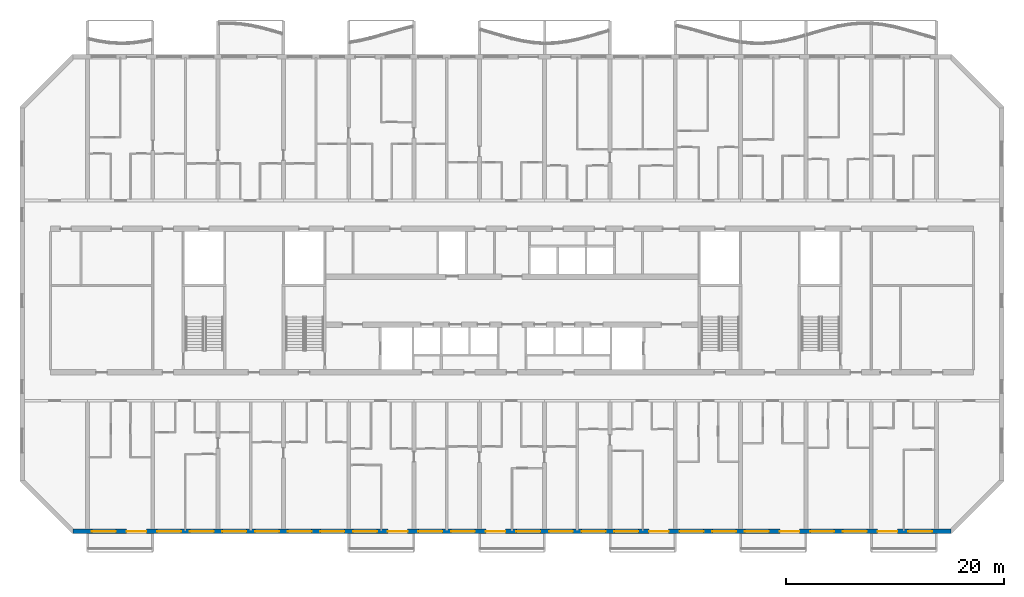
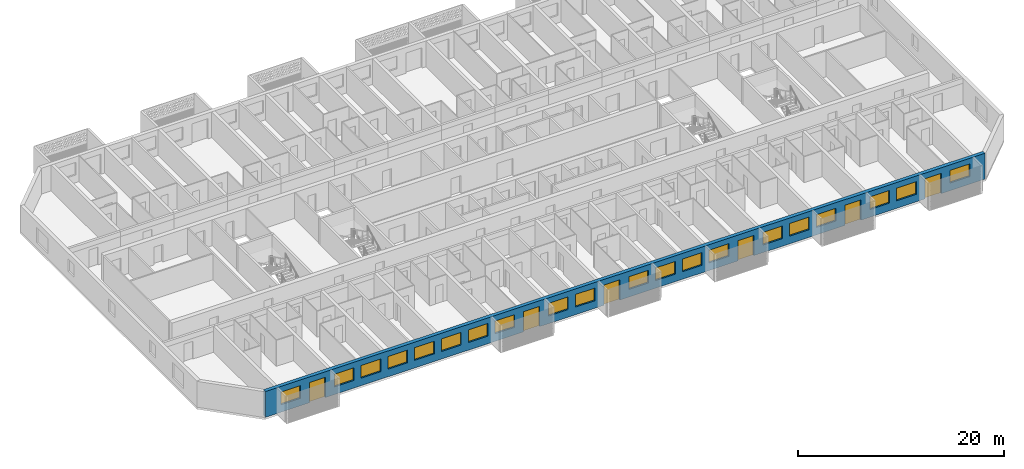
# One storey, part 4 of 26: 20 windows, 6 doors, 1 wall, 26 openings.
"""IFC4 building model written with IfcOpenShell, lengths in metres."""

from ifc_helpers import new_model, si_unit, direction, frame, frame_2d, origin, place, context, subcontext, project, spatial, rectangle, extrude, material, layer, layer_set, type_object, element, fill, save


model = new_model("IFC4")

# Units and contexts
model_context = context("Model", 3, precision=1e-05, world=origin(), true_north=direction((0.0, 1.0)))
body_context = subcontext(model_context, "Body", "Model", "MODEL_VIEW")
ifc_project = project(units=[si_unit("LENGTHUNIT", "METRE"), si_unit("AREAUNIT", "SQUARE_METRE"), si_unit("VOLUMEUNIT", "CUBIC_METRE"), si_unit("PLANEANGLEUNIT", "RADIAN"), si_unit("MASSUNIT", "GRAM", prefix="KILO")], contexts=[model_context])

# Site, building, storey
site_placement = place(None, origin())
site = spatial("IfcSite", under=ifc_project, at=site_placement, CompositionType="ELEMENT")
building_placement = place(site_placement, origin())
building = spatial("IfcBuilding", under=site, at=building_placement, Name="Poui Terraces", CompositionType="ELEMENT")
storey_placement = place(building_placement, frame((0.0, 0.0, 96.0)))
storey = spatial("IfcBuildingStorey", under=building, at=storey_placement, Name="L26", CompositionType="ELEMENT", Elevation=96.0)

# Wall, openings, doors, windows
ifc_material_1 = material(Name="Precast concrete 40 MPa", Category="concrete")
ifc_layer = layer(ifc_material_1, 0.39990234375)
ifc_layer_set = layer_set([ifc_layer], Name="Precast concrete 40 MPa")
wall_type = type_object("IfcWallType", Name="EXTERNAL WALL 400", PredefinedType="STANDARD", material=ifc_layer_set)
wall_placement = place(storey_placement, frame((10.682861328125, 0.0, 0.0), z_axis=(0.0, 0.0, 1.0), x_axis=(1.0, 0.0, 0.0)))
wall = element("IfcWall", 1, at=wall_placement, inside=storey, type_object=wall_type, Name="EXTERNAL WALL S", PredefinedType="STANDARD", context=body_context, shape_type="SweptSolid", body=[
    extrude(rectangle(XDim=80.63427734375, YDim=0.39990234375, at=frame_2d((40.317138671875, 0.0))), origin(), (0.0, 0.0, 1.0), 3.06005859375),
])
opening_1_placement = place(wall_placement, frame((1.71728515625, 0.0, 0.89990234375)))
opening_1 = element("IfcOpeningElement", 2, at=opening_1_placement, cuts=wall, Name="Opening W1", PredefinedType="OPENING", context=body_context, shape_type="SweptSolid", body=[
    extrude(rectangle(XDim=2.199951171875, YDim=1.5, at=frame_2d((1.10009765625, 0.75))), frame((0.0, 0.2099609375, 0.0), z_axis=(0.0, -1.0, 0.0), x_axis=(1.0, 0.0, 0.0)), (0.0, 0.0, 1.0), 0.419921875),
])
opening_2_placement = place(wall_placement, frame((4.917236328125, 0.0, 0.0)))
opening_2 = element("IfcOpeningElement", 3, at=opening_2_placement, cuts=wall, Name="Opening BD1", PredefinedType="OPENING", context=body_context, shape_type="SweptSolid", body=[
    extrude(rectangle(XDim=1.800048828125, YDim=2.39990234375, at=frame_2d((0.89990234375, 1.199951171875))), frame((0.0, 0.2099609375, 0.0), z_axis=(0.0, -1.0, 0.0), x_axis=(1.0, 0.0, 0.0)), (0.0, 0.0, 1.0), 0.419921875),
])
opening_3_placement = place(wall_placement, frame((7.71728515625, 0.0, 0.89990234375)))
opening_3 = element("IfcOpeningElement", 4, at=opening_3_placement, cuts=wall, Name="Opening W1", PredefinedType="OPENING", context=body_context, shape_type="SweptSolid", body=[
    extrude(rectangle(XDim=2.199951171875, YDim=1.5, at=frame_2d((1.10009765625, 0.75))), frame((0.0, 0.2099609375, 0.0), z_axis=(0.0, -1.0, 0.0), x_axis=(1.0, 0.0, 0.0)), (0.0, 0.0, 1.0), 0.419921875),
])
opening_4_placement = place(wall_placement, frame((10.71728515625, 0.0, 0.89990234375)))
opening_4 = element("IfcOpeningElement", 5, at=opening_4_placement, cuts=wall, Name="Opening W1", PredefinedType="OPENING", context=body_context, shape_type="SweptSolid", body=[
    extrude(rectangle(XDim=2.199951171875, YDim=1.5, at=frame_2d((1.10009765625, 0.75))), frame((0.0, 0.2099609375, 0.0), z_axis=(0.0, -1.0, 0.0), x_axis=(1.0, 0.0, 0.0)), (0.0, 0.0, 1.0), 0.419921875),
])
opening_5_placement = place(wall_placement, frame((13.71728515625, 0.0, 0.89990234375)))
opening_5 = element("IfcOpeningElement", 6, at=opening_5_placement, cuts=wall, Name="Opening W1", PredefinedType="OPENING", context=body_context, shape_type="SweptSolid", body=[
    extrude(rectangle(XDim=2.199951171875, YDim=1.5, at=frame_2d((1.10009765625, 0.75))), frame((0.0, 0.2099609375, 0.0), z_axis=(0.0, -1.0, 0.0), x_axis=(1.0, 0.0, 0.0)), (0.0, 0.0, 1.0), 0.419921875),
])
opening_6_placement = place(wall_placement, frame((16.71728515625, 0.0, 0.89990234375)))
opening_6 = element("IfcOpeningElement", 7, at=opening_6_placement, cuts=wall, Name="Opening W1", PredefinedType="OPENING", context=body_context, shape_type="SweptSolid", body=[
    extrude(rectangle(XDim=2.199951171875, YDim=1.5, at=frame_2d((1.10009765625, 0.75))), frame((0.0, 0.2099609375, 0.0), z_axis=(0.0, -1.0, 0.0), x_axis=(1.0, 0.0, 0.0)), (0.0, 0.0, 1.0), 0.419921875),
])
opening_7_placement = place(wall_placement, frame((19.71728515625, 0.0, 0.89990234375)))
opening_7 = element("IfcOpeningElement", 8, at=opening_7_placement, cuts=wall, Name="Opening W1", PredefinedType="OPENING", context=body_context, shape_type="SweptSolid", body=[
    extrude(rectangle(XDim=2.199951171875, YDim=1.5, at=frame_2d((1.10009765625, 0.75))), frame((0.0, 0.2099609375, 0.0), z_axis=(0.0, -1.0, 0.0), x_axis=(1.0, 0.0, 0.0)), (0.0, 0.0, 1.0), 0.419921875),
])
opening_8_placement = place(wall_placement, frame((22.71728515625, 0.0, 0.89990234375)))
opening_8 = element("IfcOpeningElement", 9, at=opening_8_placement, cuts=wall, Name="Opening W1", PredefinedType="OPENING", context=body_context, shape_type="SweptSolid", body=[
    extrude(rectangle(XDim=2.199951171875, YDim=1.5, at=frame_2d((1.10009765625, 0.75))), frame((0.0, 0.2099609375, 0.0), z_axis=(0.0, -1.0, 0.0), x_axis=(1.0, 0.0, 0.0)), (0.0, 0.0, 1.0), 0.419921875),
])
opening_9_placement = place(wall_placement, frame((25.71728515625, 0.0, 0.89990234375)))
opening_9 = element("IfcOpeningElement", 10, at=opening_9_placement, cuts=wall, Name="Opening W1", PredefinedType="OPENING", context=body_context, shape_type="SweptSolid", body=[
    extrude(rectangle(XDim=2.199951171875, YDim=1.5, at=frame_2d((1.10009765625, 0.75))), frame((0.0, 0.2099609375, 0.0), z_axis=(0.0, -1.0, 0.0), x_axis=(1.0, 0.0, 0.0)), (0.0, 0.0, 1.0), 0.419921875),
])
opening_10_placement = place(wall_placement, frame((28.917236328125, 0.0, 0.0)))
opening_10 = element("IfcOpeningElement", 11, at=opening_10_placement, cuts=wall, Name="Opening BD1", PredefinedType="OPENING", context=body_context, shape_type="SweptSolid", body=[
    extrude(rectangle(XDim=1.800048828125, YDim=2.39990234375, at=frame_2d((0.89990234375, 1.199951171875))), frame((0.0, 0.2099609375, 0.0), z_axis=(0.0, -1.0, 0.0), x_axis=(1.0, 0.0, 0.0)), (0.0, 0.0, 1.0), 0.419921875),
])
opening_11_placement = place(wall_placement, frame((31.71728515625, 0.0, 0.89990234375)))
opening_11 = element("IfcOpeningElement", 12, at=opening_11_placement, cuts=wall, Name="Opening W1", PredefinedType="OPENING", context=body_context, shape_type="SweptSolid", body=[
    extrude(rectangle(XDim=2.199951171875, YDim=1.5, at=frame_2d((1.10009765625, 0.75))), frame((0.0, 0.2099609375, 0.0), z_axis=(0.0, -1.0, 0.0), x_axis=(1.0, 0.0, 0.0)), (0.0, 0.0, 1.0), 0.419921875),
])
opening_12_placement = place(wall_placement, frame((34.71728515625, 0.0, 0.89990234375)))
opening_12 = element("IfcOpeningElement", 13, at=opening_12_placement, cuts=wall, Name="Opening W1", PredefinedType="OPENING", context=body_context, shape_type="SweptSolid", body=[
    extrude(rectangle(XDim=2.199951171875, YDim=1.5, at=frame_2d((1.10009765625, 0.75))), frame((0.0, 0.2099609375, 0.0), z_axis=(0.0, -1.0, 0.0), x_axis=(1.0, 0.0, 0.0)), (0.0, 0.0, 1.0), 0.419921875),
])
opening_13_placement = place(wall_placement, frame((37.917236328125, 0.0, 0.0)))
opening_13 = element("IfcOpeningElement", 14, at=opening_13_placement, cuts=wall, Name="Opening BD1", PredefinedType="OPENING", context=body_context, shape_type="SweptSolid", body=[
    extrude(rectangle(XDim=1.800048828125, YDim=2.39990234375, at=frame_2d((0.89990234375, 1.199951171875))), frame((0.0, 0.2099609375, 0.0), z_axis=(0.0, -1.0, 0.0), x_axis=(1.0, 0.0, 0.0)), (0.0, 0.0, 1.0), 0.419921875),
])
opening_14_placement = place(wall_placement, frame((40.71728515625, 0.0, 0.89990234375)))
opening_14 = element("IfcOpeningElement", 15, at=opening_14_placement, cuts=wall, Name="Opening W1", PredefinedType="OPENING", context=body_context, shape_type="SweptSolid", body=[
    extrude(rectangle(XDim=2.199951171875, YDim=1.5, at=frame_2d((1.10009765625, 0.75))), frame((0.0, 0.2099609375, 0.0), z_axis=(0.0, -1.0, 0.0), x_axis=(1.0, 0.0, 0.0)), (0.0, 0.0, 1.0), 0.419921875),
])
opening_15_placement = place(wall_placement, frame((43.71728515625, 0.0, 0.89990234375)))
opening_15 = element("IfcOpeningElement", 16, at=opening_15_placement, cuts=wall, Name="Opening W1", PredefinedType="OPENING", context=body_context, shape_type="SweptSolid", body=[
    extrude(rectangle(XDim=2.199951171875, YDim=1.5, at=frame_2d((1.10009765625, 0.75))), frame((0.0, 0.2099609375, 0.0), z_axis=(0.0, -1.0, 0.0), x_axis=(1.0, 0.0, 0.0)), (0.0, 0.0, 1.0), 0.419921875),
])
opening_16_placement = place(wall_placement, frame((46.71728515625, 0.0, 0.89990234375)))
opening_16 = element("IfcOpeningElement", 17, at=opening_16_placement, cuts=wall, Name="Opening W1", PredefinedType="OPENING", context=body_context, shape_type="SweptSolid", body=[
    extrude(rectangle(XDim=2.199951171875, YDim=1.5, at=frame_2d((1.10009765625, 0.75))), frame((0.0, 0.2099609375, 0.0), z_axis=(0.0, -1.0, 0.0), x_axis=(1.0, 0.0, 0.0)), (0.0, 0.0, 1.0), 0.419921875),
])
opening_17_placement = place(wall_placement, frame((49.71728515625, 0.0, 0.89990234375)))
opening_17 = element("IfcOpeningElement", 18, at=opening_17_placement, cuts=wall, Name="Opening W1", PredefinedType="OPENING", context=body_context, shape_type="SweptSolid", body=[
    extrude(rectangle(XDim=2.199951171875, YDim=1.5, at=frame_2d((1.10009765625, 0.75))), frame((0.0, 0.2099609375, 0.0), z_axis=(0.0, -1.0, 0.0), x_axis=(1.0, 0.0, 0.0)), (0.0, 0.0, 1.0), 0.419921875),
])
opening_18_placement = place(wall_placement, frame((52.917236328125, 0.0, 0.0)))
opening_18 = element("IfcOpeningElement", 19, at=opening_18_placement, cuts=wall, Name="Opening BD1", PredefinedType="OPENING", context=body_context, shape_type="SweptSolid", body=[
    extrude(rectangle(XDim=1.800048828125, YDim=2.39990234375, at=frame_2d((0.89990234375, 1.199951171875))), frame((0.0, 0.2099609375, 0.0), z_axis=(0.0, -1.0, 0.0), x_axis=(1.0, 0.0, 0.0)), (0.0, 0.0, 1.0), 0.419921875),
])
opening_19_placement = place(wall_placement, frame((55.71728515625, 0.0, 0.89990234375)))
opening_19 = element("IfcOpeningElement", 20, at=opening_19_placement, cuts=wall, Name="Opening W1", PredefinedType="OPENING", context=body_context, shape_type="SweptSolid", body=[
    extrude(rectangle(XDim=2.199951171875, YDim=1.5, at=frame_2d((1.10009765625, 0.75))), frame((0.0, 0.2099609375, 0.0), z_axis=(0.0, -1.0, 0.0), x_axis=(1.0, 0.0, 0.0)), (0.0, 0.0, 1.0), 0.419921875),
])
opening_20_placement = place(wall_placement, frame((58.71728515625, 0.0, 0.89990234375)))
opening_20 = element("IfcOpeningElement", 21, at=opening_20_placement, cuts=wall, Name="Opening W1", PredefinedType="OPENING", context=body_context, shape_type="SweptSolid", body=[
    extrude(rectangle(XDim=2.199951171875, YDim=1.5, at=frame_2d((1.10009765625, 0.75))), frame((0.0, 0.2099609375, 0.0), z_axis=(0.0, -1.0, 0.0), x_axis=(1.0, 0.0, 0.0)), (0.0, 0.0, 1.0), 0.419921875),
])
opening_21_placement = place(wall_placement, frame((61.71728515625, 0.0, 0.89990234375)))
opening_21 = element("IfcOpeningElement", 22, at=opening_21_placement, cuts=wall, Name="Opening W1", PredefinedType="OPENING", context=body_context, shape_type="SweptSolid", body=[
    extrude(rectangle(XDim=2.199951171875, YDim=1.5, at=frame_2d((1.10009765625, 0.75))), frame((0.0, 0.2099609375, 0.0), z_axis=(0.0, -1.0, 0.0), x_axis=(1.0, 0.0, 0.0)), (0.0, 0.0, 1.0), 0.419921875),
])
opening_22_placement = place(wall_placement, frame((64.917236328125, 0.0, 0.0)))
opening_22 = element("IfcOpeningElement", 23, at=opening_22_placement, cuts=wall, Name="Opening BD1", PredefinedType="OPENING", context=body_context, shape_type="SweptSolid", body=[
    extrude(rectangle(XDim=1.800048828125, YDim=2.39990234375, at=frame_2d((0.89990234375, 1.199951171875))), frame((0.0, 0.2099609375, 0.0), z_axis=(0.0, -1.0, 0.0), x_axis=(1.0, 0.0, 0.0)), (0.0, 0.0, 1.0), 0.419921875),
])
opening_23_placement = place(wall_placement, frame((67.71728515625, 0.0, 0.89990234375)))
opening_23 = element("IfcOpeningElement", 24, at=opening_23_placement, cuts=wall, Name="Opening W1", PredefinedType="OPENING", context=body_context, shape_type="SweptSolid", body=[
    extrude(rectangle(XDim=2.199951171875, YDim=1.5, at=frame_2d((1.10009765625, 0.75))), frame((0.0, 0.2099609375, 0.0), z_axis=(0.0, -1.0, 0.0), x_axis=(1.0, 0.0, 0.0)), (0.0, 0.0, 1.0), 0.419921875),
])
opening_24_placement = place(wall_placement, frame((70.71728515625, 0.0, 0.89990234375)))
opening_24 = element("IfcOpeningElement", 25, at=opening_24_placement, cuts=wall, Name="Opening W1", PredefinedType="OPENING", context=body_context, shape_type="SweptSolid", body=[
    extrude(rectangle(XDim=2.199951171875, YDim=1.5, at=frame_2d((1.10009765625, 0.75))), frame((0.0, 0.2099609375, 0.0), z_axis=(0.0, -1.0, 0.0), x_axis=(1.0, 0.0, 0.0)), (0.0, 0.0, 1.0), 0.419921875),
])
opening_25_placement = place(wall_placement, frame((73.917236328125, 0.0, 0.0)))
opening_25 = element("IfcOpeningElement", 26, at=opening_25_placement, cuts=wall, Name="Opening BD1", PredefinedType="OPENING", context=body_context, shape_type="SweptSolid", body=[
    extrude(rectangle(XDim=1.800048828125, YDim=2.39990234375, at=frame_2d((0.89990234375, 1.199951171875))), frame((0.0, 0.2099609375, 0.0), z_axis=(0.0, -1.0, 0.0), x_axis=(1.0, 0.0, 0.0)), (0.0, 0.0, 1.0), 0.419921875),
])
opening_26_placement = place(wall_placement, frame((76.71728515625, 0.0, 0.89990234375)))
opening_26 = element("IfcOpeningElement", 27, at=opening_26_placement, cuts=wall, Name="Opening W1", PredefinedType="OPENING", context=body_context, shape_type="SweptSolid", body=[
    extrude(rectangle(XDim=2.199951171875, YDim=1.5, at=frame_2d((1.10009765625, 0.75))), frame((0.0, 0.2099609375, 0.0), z_axis=(0.0, -1.0, 0.0), x_axis=(1.0, 0.0, 0.0)), (0.0, 0.0, 1.0), 0.419921875),
])
ifc_material_2 = material(Name="Clear glass in aluminium frame", Category="aluminium")
door_type = type_object("IfcDoorType", Name="BALCONY DOOR 1800X2400", OperationType="DOUBLE_DOOR_SLIDING", PredefinedType="DOOR", material=ifc_material_2)
door_1_placement = place(opening_2_placement, origin())
door_1 = element("IfcDoor", 28, at=door_1_placement, inside=storey, type_object=door_type, Name="BD1 BALCONY DOOR", OperationType="DOUBLE_DOOR_SLIDING", OverallHeight=2.39990234375, OverallWidth=1.800048828125, PredefinedType="DOOR", context=body_context, shape_type="SweptSolid", body=[
    extrude(rectangle(XDim=1.800048828125, YDim=2.39990234375, at=frame_2d((0.89990234375, 1.199951171875))), frame((0.0, 0.02490234375, 0.0), z_axis=(0.0, -1.0, 0.0), x_axis=(1.0, 0.0, 0.0)), (0.0, 0.0, 1.0), 0.050048828125),
])
fill(opening_2, door_1)
door_2_placement = place(opening_10_placement, origin())
door_2 = element("IfcDoor", 29, at=door_2_placement, inside=storey, type_object=door_type, Name="BD1 BALCONY DOOR", OperationType="DOUBLE_DOOR_SLIDING", OverallHeight=2.39990234375, OverallWidth=1.800048828125, PredefinedType="DOOR", context=body_context, shape_type="SweptSolid", body=[
    extrude(rectangle(XDim=1.800048828125, YDim=2.39990234375, at=frame_2d((0.89990234375, 1.199951171875))), frame((0.0, 0.02490234375, 0.0), z_axis=(0.0, -1.0, 0.0), x_axis=(1.0, 0.0, 0.0)), (0.0, 0.0, 1.0), 0.050048828125),
])
fill(opening_10, door_2)
door_3_placement = place(opening_13_placement, origin())
door_3 = element("IfcDoor", 30, at=door_3_placement, inside=storey, type_object=door_type, Name="BD1 BALCONY DOOR", OperationType="DOUBLE_DOOR_SLIDING", OverallHeight=2.39990234375, OverallWidth=1.800048828125, PredefinedType="DOOR", context=body_context, shape_type="SweptSolid", body=[
    extrude(rectangle(XDim=1.800048828125, YDim=2.39990234375, at=frame_2d((0.89990234375, 1.199951171875))), frame((0.0, 0.02490234375, 0.0), z_axis=(0.0, -1.0, 0.0), x_axis=(1.0, 0.0, 0.0)), (0.0, 0.0, 1.0), 0.050048828125),
])
fill(opening_13, door_3)
door_4_placement = place(opening_18_placement, origin())
door_4 = element("IfcDoor", 31, at=door_4_placement, inside=storey, type_object=door_type, Name="BD1 BALCONY DOOR", OperationType="DOUBLE_DOOR_SLIDING", OverallHeight=2.39990234375, OverallWidth=1.800048828125, PredefinedType="DOOR", context=body_context, shape_type="SweptSolid", body=[
    extrude(rectangle(XDim=1.800048828125, YDim=2.39990234375, at=frame_2d((0.89990234375, 1.199951171875))), frame((0.0, 0.02490234375, 0.0), z_axis=(0.0, -1.0, 0.0), x_axis=(1.0, 0.0, 0.0)), (0.0, 0.0, 1.0), 0.050048828125),
])
fill(opening_18, door_4)
door_5_placement = place(opening_22_placement, origin())
door_5 = element("IfcDoor", 32, at=door_5_placement, inside=storey, type_object=door_type, Name="BD1 BALCONY DOOR", OperationType="DOUBLE_DOOR_SLIDING", OverallHeight=2.39990234375, OverallWidth=1.800048828125, PredefinedType="DOOR", context=body_context, shape_type="SweptSolid", body=[
    extrude(rectangle(XDim=1.800048828125, YDim=2.39990234375, at=frame_2d((0.89990234375, 1.199951171875))), frame((0.0, 0.02490234375, 0.0), z_axis=(0.0, -1.0, 0.0), x_axis=(1.0, 0.0, 0.0)), (0.0, 0.0, 1.0), 0.050048828125),
])
fill(opening_22, door_5)
door_6_placement = place(opening_25_placement, origin())
door_6 = element("IfcDoor", 33, at=door_6_placement, inside=storey, type_object=door_type, Name="BD1 BALCONY DOOR", OperationType="DOUBLE_DOOR_SLIDING", OverallHeight=2.39990234375, OverallWidth=1.800048828125, PredefinedType="DOOR", context=body_context, shape_type="SweptSolid", body=[
    extrude(rectangle(XDim=1.800048828125, YDim=2.39990234375, at=frame_2d((0.89990234375, 1.199951171875))), frame((0.0, 0.02490234375, 0.0), z_axis=(0.0, -1.0, 0.0), x_axis=(1.0, 0.0, 0.0)), (0.0, 0.0, 1.0), 0.050048828125),
])
fill(opening_25, door_6)
window_type = type_object("IfcWindowType", Name="WINDOW 2200X1500", PartitioningType="DOUBLE_PANEL_HORIZONTAL", PredefinedType="WINDOW", material=ifc_material_2)
window_1_placement = place(opening_1_placement, origin())
window_1 = element("IfcWindow", 34, at=window_1_placement, inside=storey, type_object=window_type, Name="W1 WINDOW", OverallHeight=1.5, OverallWidth=2.199951171875, PartitioningType="DOUBLE_PANEL_HORIZONTAL", PredefinedType="WINDOW", context=body_context, shape_type="SweptSolid", body=[
    extrude(rectangle(XDim=2.199951171875, YDim=1.5, at=frame_2d((1.10009765625, 0.75))), frame((0.0, 0.030029296875, 0.0), z_axis=(0.0, -1.0, 0.0), x_axis=(1.0, 0.0, 0.0)), (0.0, 0.0, 1.0), 0.06005859375),
])
fill(opening_1, window_1)
window_2_placement = place(opening_3_placement, origin())
window_2 = element("IfcWindow", 35, at=window_2_placement, inside=storey, type_object=window_type, Name="W1 WINDOW", OverallHeight=1.5, OverallWidth=2.199951171875, PartitioningType="DOUBLE_PANEL_HORIZONTAL", PredefinedType="WINDOW", context=body_context, shape_type="SweptSolid", body=[
    extrude(rectangle(XDim=2.199951171875, YDim=1.5, at=frame_2d((1.10009765625, 0.75))), frame((0.0, 0.030029296875, 0.0), z_axis=(0.0, -1.0, 0.0), x_axis=(1.0, 0.0, 0.0)), (0.0, 0.0, 1.0), 0.06005859375),
])
fill(opening_3, window_2)
window_3_placement = place(opening_4_placement, origin())
window_3 = element("IfcWindow", 36, at=window_3_placement, inside=storey, type_object=window_type, Name="W1 WINDOW", OverallHeight=1.5, OverallWidth=2.199951171875, PartitioningType="DOUBLE_PANEL_HORIZONTAL", PredefinedType="WINDOW", context=body_context, shape_type="SweptSolid", body=[
    extrude(rectangle(XDim=2.199951171875, YDim=1.5, at=frame_2d((1.10009765625, 0.75))), frame((0.0, 0.030029296875, 0.0), z_axis=(0.0, -1.0, 0.0), x_axis=(1.0, 0.0, 0.0)), (0.0, 0.0, 1.0), 0.06005859375),
])
fill(opening_4, window_3)
window_4_placement = place(opening_5_placement, origin())
window_4 = element("IfcWindow", 37, at=window_4_placement, inside=storey, type_object=window_type, Name="W1 WINDOW", OverallHeight=1.5, OverallWidth=2.199951171875, PartitioningType="DOUBLE_PANEL_HORIZONTAL", PredefinedType="WINDOW", context=body_context, shape_type="SweptSolid", body=[
    extrude(rectangle(XDim=2.199951171875, YDim=1.5, at=frame_2d((1.10009765625, 0.75))), frame((0.0, 0.030029296875, 0.0), z_axis=(0.0, -1.0, 0.0), x_axis=(1.0, 0.0, 0.0)), (0.0, 0.0, 1.0), 0.06005859375),
])
fill(opening_5, window_4)
window_5_placement = place(opening_6_placement, origin())
window_5 = element("IfcWindow", 38, at=window_5_placement, inside=storey, type_object=window_type, Name="W1 WINDOW", OverallHeight=1.5, OverallWidth=2.199951171875, PartitioningType="DOUBLE_PANEL_HORIZONTAL", PredefinedType="WINDOW", context=body_context, shape_type="SweptSolid", body=[
    extrude(rectangle(XDim=2.199951171875, YDim=1.5, at=frame_2d((1.10009765625, 0.75))), frame((0.0, 0.030029296875, 0.0), z_axis=(0.0, -1.0, 0.0), x_axis=(1.0, 0.0, 0.0)), (0.0, 0.0, 1.0), 0.06005859375),
])
fill(opening_6, window_5)
window_6_placement = place(opening_7_placement, origin())
window_6 = element("IfcWindow", 39, at=window_6_placement, inside=storey, type_object=window_type, Name="W1 WINDOW", OverallHeight=1.5, OverallWidth=2.199951171875, PartitioningType="DOUBLE_PANEL_HORIZONTAL", PredefinedType="WINDOW", context=body_context, shape_type="SweptSolid", body=[
    extrude(rectangle(XDim=2.199951171875, YDim=1.5, at=frame_2d((1.10009765625, 0.75))), frame((0.0, 0.030029296875, 0.0), z_axis=(0.0, -1.0, 0.0), x_axis=(1.0, 0.0, 0.0)), (0.0, 0.0, 1.0), 0.06005859375),
])
fill(opening_7, window_6)
window_7_placement = place(opening_8_placement, origin())
window_7 = element("IfcWindow", 40, at=window_7_placement, inside=storey, type_object=window_type, Name="W1 WINDOW", OverallHeight=1.5, OverallWidth=2.199951171875, PartitioningType="DOUBLE_PANEL_HORIZONTAL", PredefinedType="WINDOW", context=body_context, shape_type="SweptSolid", body=[
    extrude(rectangle(XDim=2.199951171875, YDim=1.5, at=frame_2d((1.10009765625, 0.75))), frame((0.0, 0.030029296875, 0.0), z_axis=(0.0, -1.0, 0.0), x_axis=(1.0, 0.0, 0.0)), (0.0, 0.0, 1.0), 0.06005859375),
])
fill(opening_8, window_7)
window_8_placement = place(opening_9_placement, origin())
window_8 = element("IfcWindow", 41, at=window_8_placement, inside=storey, type_object=window_type, Name="W1 WINDOW", OverallHeight=1.5, OverallWidth=2.199951171875, PartitioningType="DOUBLE_PANEL_HORIZONTAL", PredefinedType="WINDOW", context=body_context, shape_type="SweptSolid", body=[
    extrude(rectangle(XDim=2.199951171875, YDim=1.5, at=frame_2d((1.10009765625, 0.75))), frame((0.0, 0.030029296875, 0.0), z_axis=(0.0, -1.0, 0.0), x_axis=(1.0, 0.0, 0.0)), (0.0, 0.0, 1.0), 0.06005859375),
])
fill(opening_9, window_8)
window_9_placement = place(opening_11_placement, origin())
window_9 = element("IfcWindow", 42, at=window_9_placement, inside=storey, type_object=window_type, Name="W1 WINDOW", OverallHeight=1.5, OverallWidth=2.199951171875, PartitioningType="DOUBLE_PANEL_HORIZONTAL", PredefinedType="WINDOW", context=body_context, shape_type="SweptSolid", body=[
    extrude(rectangle(XDim=2.199951171875, YDim=1.5, at=frame_2d((1.10009765625, 0.75))), frame((0.0, 0.030029296875, 0.0), z_axis=(0.0, -1.0, 0.0), x_axis=(1.0, 0.0, 0.0)), (0.0, 0.0, 1.0), 0.06005859375),
])
fill(opening_11, window_9)
window_10_placement = place(opening_12_placement, origin())
window_10 = element("IfcWindow", 43, at=window_10_placement, inside=storey, type_object=window_type, Name="W1 WINDOW", OverallHeight=1.5, OverallWidth=2.199951171875, PartitioningType="DOUBLE_PANEL_HORIZONTAL", PredefinedType="WINDOW", context=body_context, shape_type="SweptSolid", body=[
    extrude(rectangle(XDim=2.199951171875, YDim=1.5, at=frame_2d((1.10009765625, 0.75))), frame((0.0, 0.030029296875, 0.0), z_axis=(0.0, -1.0, 0.0), x_axis=(1.0, 0.0, 0.0)), (0.0, 0.0, 1.0), 0.06005859375),
])
fill(opening_12, window_10)
window_11_placement = place(opening_14_placement, origin())
window_11 = element("IfcWindow", 44, at=window_11_placement, inside=storey, type_object=window_type, Name="W1 WINDOW", OverallHeight=1.5, OverallWidth=2.199951171875, PartitioningType="DOUBLE_PANEL_HORIZONTAL", PredefinedType="WINDOW", context=body_context, shape_type="SweptSolid", body=[
    extrude(rectangle(XDim=2.199951171875, YDim=1.5, at=frame_2d((1.10009765625, 0.75))), frame((0.0, 0.030029296875, 0.0), z_axis=(0.0, -1.0, 0.0), x_axis=(1.0, 0.0, 0.0)), (0.0, 0.0, 1.0), 0.06005859375),
])
fill(opening_14, window_11)
window_12_placement = place(opening_15_placement, origin())
window_12 = element("IfcWindow", 45, at=window_12_placement, inside=storey, type_object=window_type, Name="W1 WINDOW", OverallHeight=1.5, OverallWidth=2.199951171875, PartitioningType="DOUBLE_PANEL_HORIZONTAL", PredefinedType="WINDOW", context=body_context, shape_type="SweptSolid", body=[
    extrude(rectangle(XDim=2.199951171875, YDim=1.5, at=frame_2d((1.10009765625, 0.75))), frame((0.0, 0.030029296875, 0.0), z_axis=(0.0, -1.0, 0.0), x_axis=(1.0, 0.0, 0.0)), (0.0, 0.0, 1.0), 0.06005859375),
])
fill(opening_15, window_12)
window_13_placement = place(opening_16_placement, origin())
window_13 = element("IfcWindow", 46, at=window_13_placement, inside=storey, type_object=window_type, Name="W1 WINDOW", OverallHeight=1.5, OverallWidth=2.199951171875, PartitioningType="DOUBLE_PANEL_HORIZONTAL", PredefinedType="WINDOW", context=body_context, shape_type="SweptSolid", body=[
    extrude(rectangle(XDim=2.199951171875, YDim=1.5, at=frame_2d((1.10009765625, 0.75))), frame((0.0, 0.030029296875, 0.0), z_axis=(0.0, -1.0, 0.0), x_axis=(1.0, 0.0, 0.0)), (0.0, 0.0, 1.0), 0.06005859375),
])
fill(opening_16, window_13)
window_14_placement = place(opening_17_placement, origin())
window_14 = element("IfcWindow", 47, at=window_14_placement, inside=storey, type_object=window_type, Name="W1 WINDOW", OverallHeight=1.5, OverallWidth=2.199951171875, PartitioningType="DOUBLE_PANEL_HORIZONTAL", PredefinedType="WINDOW", context=body_context, shape_type="SweptSolid", body=[
    extrude(rectangle(XDim=2.199951171875, YDim=1.5, at=frame_2d((1.10009765625, 0.75))), frame((0.0, 0.030029296875, 0.0), z_axis=(0.0, -1.0, 0.0), x_axis=(1.0, 0.0, 0.0)), (0.0, 0.0, 1.0), 0.06005859375),
])
fill(opening_17, window_14)
window_15_placement = place(opening_19_placement, origin())
window_15 = element("IfcWindow", 48, at=window_15_placement, inside=storey, type_object=window_type, Name="W1 WINDOW", OverallHeight=1.5, OverallWidth=2.199951171875, PartitioningType="DOUBLE_PANEL_HORIZONTAL", PredefinedType="WINDOW", context=body_context, shape_type="SweptSolid", body=[
    extrude(rectangle(XDim=2.199951171875, YDim=1.5, at=frame_2d((1.10009765625, 0.75))), frame((0.0, 0.030029296875, 0.0), z_axis=(0.0, -1.0, 0.0), x_axis=(1.0, 0.0, 0.0)), (0.0, 0.0, 1.0), 0.06005859375),
])
fill(opening_19, window_15)
window_16_placement = place(opening_20_placement, origin())
window_16 = element("IfcWindow", 49, at=window_16_placement, inside=storey, type_object=window_type, Name="W1 WINDOW", OverallHeight=1.5, OverallWidth=2.199951171875, PartitioningType="DOUBLE_PANEL_HORIZONTAL", PredefinedType="WINDOW", context=body_context, shape_type="SweptSolid", body=[
    extrude(rectangle(XDim=2.199951171875, YDim=1.5, at=frame_2d((1.10009765625, 0.75))), frame((0.0, 0.030029296875, 0.0), z_axis=(0.0, -1.0, 0.0), x_axis=(1.0, 0.0, 0.0)), (0.0, 0.0, 1.0), 0.06005859375),
])
fill(opening_20, window_16)
window_17_placement = place(opening_21_placement, origin())
window_17 = element("IfcWindow", 50, at=window_17_placement, inside=storey, type_object=window_type, Name="W1 WINDOW", OverallHeight=1.5, OverallWidth=2.199951171875, PartitioningType="DOUBLE_PANEL_HORIZONTAL", PredefinedType="WINDOW", context=body_context, shape_type="SweptSolid", body=[
    extrude(rectangle(XDim=2.199951171875, YDim=1.5, at=frame_2d((1.10009765625, 0.75))), frame((0.0, 0.030029296875, 0.0), z_axis=(0.0, -1.0, 0.0), x_axis=(1.0, 0.0, 0.0)), (0.0, 0.0, 1.0), 0.06005859375),
])
fill(opening_21, window_17)
window_18_placement = place(opening_23_placement, origin())
window_18 = element("IfcWindow", 51, at=window_18_placement, inside=storey, type_object=window_type, Name="W1 WINDOW", OverallHeight=1.5, OverallWidth=2.199951171875, PartitioningType="DOUBLE_PANEL_HORIZONTAL", PredefinedType="WINDOW", context=body_context, shape_type="SweptSolid", body=[
    extrude(rectangle(XDim=2.199951171875, YDim=1.5, at=frame_2d((1.10009765625, 0.75))), frame((0.0, 0.030029296875, 0.0), z_axis=(0.0, -1.0, 0.0), x_axis=(1.0, 0.0, 0.0)), (0.0, 0.0, 1.0), 0.06005859375),
])
fill(opening_23, window_18)
window_19_placement = place(opening_24_placement, origin())
window_19 = element("IfcWindow", 52, at=window_19_placement, inside=storey, type_object=window_type, Name="W1 WINDOW", OverallHeight=1.5, OverallWidth=2.199951171875, PartitioningType="DOUBLE_PANEL_HORIZONTAL", PredefinedType="WINDOW", context=body_context, shape_type="SweptSolid", body=[
    extrude(rectangle(XDim=2.199951171875, YDim=1.5, at=frame_2d((1.10009765625, 0.75))), frame((0.0, 0.030029296875, 0.0), z_axis=(0.0, -1.0, 0.0), x_axis=(1.0, 0.0, 0.0)), (0.0, 0.0, 1.0), 0.06005859375),
])
fill(opening_24, window_19)
window_20_placement = place(opening_26_placement, origin())
window_20 = element("IfcWindow", 53, at=window_20_placement, inside=storey, type_object=window_type, Name="W1 WINDOW", OverallHeight=1.5, OverallWidth=2.199951171875, PartitioningType="DOUBLE_PANEL_HORIZONTAL", PredefinedType="WINDOW", context=body_context, shape_type="SweptSolid", body=[
    extrude(rectangle(XDim=2.199951171875, YDim=1.5, at=frame_2d((1.10009765625, 0.75))), frame((0.0, 0.030029296875, 0.0), z_axis=(0.0, -1.0, 0.0), x_axis=(1.0, 0.0, 0.0)), (0.0, 0.0, 1.0), 0.06005859375),
])
fill(opening_26, window_20)

save(model, "model.ifc")
